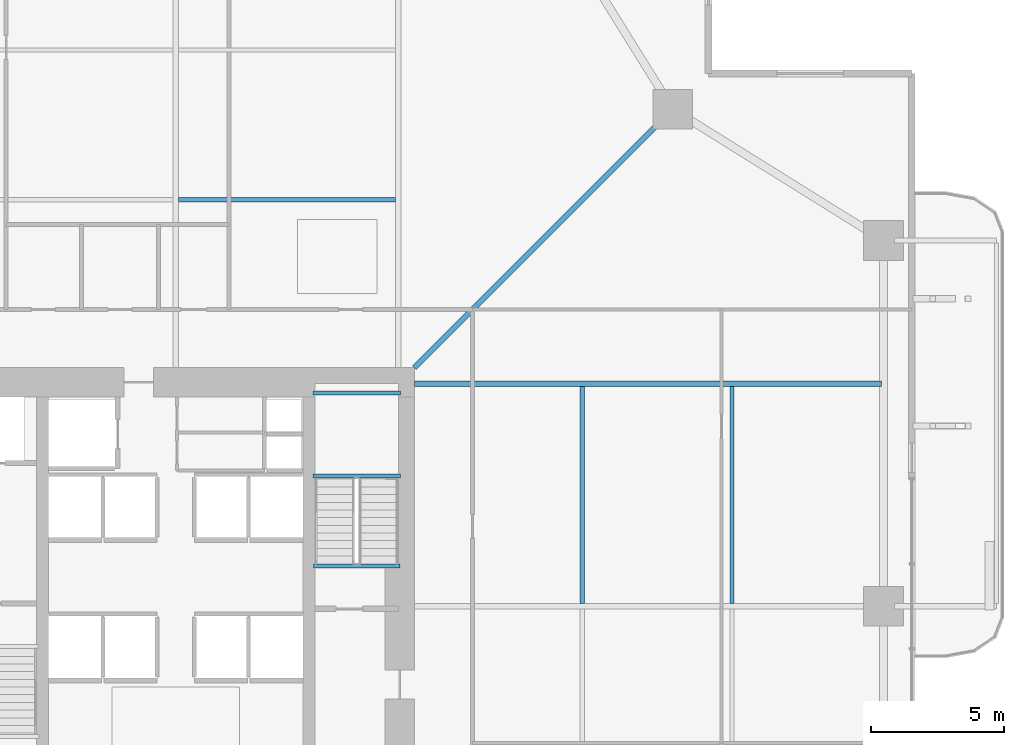
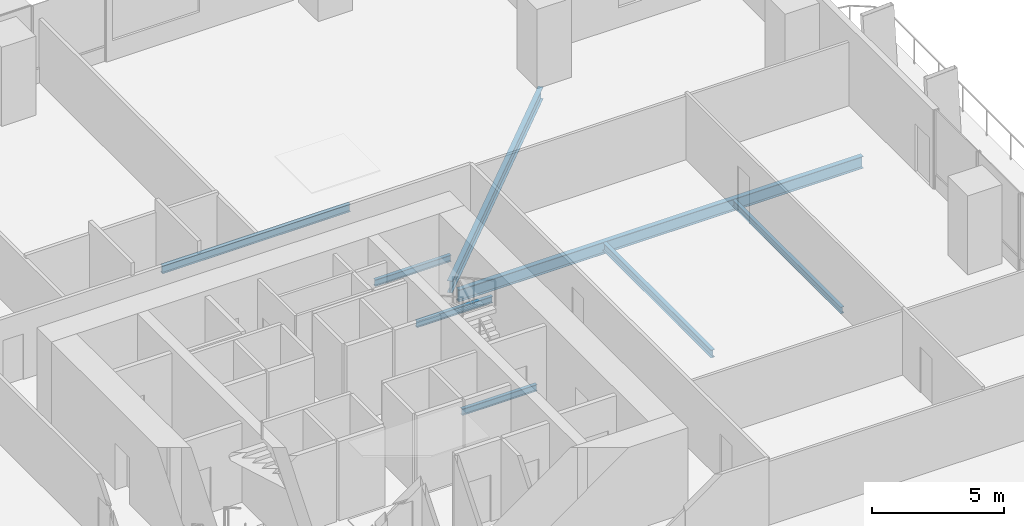
# One storey, part 12 of 24: 8 beams.
"""IFC4 building model written with IfcOpenShell, lengths in metres."""

from ifc_helpers import new_model, si_unit, direction, frame, origin, origin_2d, place, context, subcontext, project, spatial, i_section, extrude, material, material_profile, profile_set, type_object, element, save


model = new_model("IFC4")

# Units and contexts
model_context = context("Model", 3, precision=1e-05, world=origin(), true_north=direction((0.0, 1.0)))
body_context = subcontext(model_context, "Body", "Model", "MODEL_VIEW")
ifc_project = project(units=[si_unit("LENGTHUNIT", "METRE"), si_unit("AREAUNIT", "SQUARE_METRE"), si_unit("VOLUMEUNIT", "CUBIC_METRE"), si_unit("PLANEANGLEUNIT", "RADIAN"), si_unit("MASSUNIT", "GRAM", prefix="KILO")], contexts=[model_context])

# Site, building, storey
site_placement = place(None, origin())
site = spatial("IfcSite", under=ifc_project, at=site_placement, CompositionType="ELEMENT")
building_placement = place(site_placement, origin())
building = spatial("IfcBuilding", under=site, at=building_placement, Name="Belovzor Exchange Tower", CompositionType="ELEMENT")
storey_placement = place(building_placement, frame((0.0, 0.0, 69.0)))
storey = spatial("IfcBuildingStorey", under=building, at=storey_placement, Name="L16", CompositionType="ELEMENT", Elevation=69.0)

# Beams
ifc_material_1 = material(Name="Steel S355", Category="steel")
ifc_material_profile_1 = material_profile(ifc_material_1, i_section(OverallWidth=0.169921875, OverallDepth=0.360107421875, WebThickness=0.008056640625, FlangeThickness=0.0126953125, at=origin_2d()))
ifc_profile_set_1 = profile_set([ifc_material_profile_1], Name="Steel S355")
beam_type_1 = type_object("IfcBeamType", Name="Secondary Infill Floor Joist IPE 360", PredefinedType="BEAM", material=ifc_profile_set_1)
for number, where, z_axis, x_axis, name in (
    (1, (28.905029296875, 44.14501953125, -0.429931640625), (1.0, 0.0, 0.0), (0.0, 1.0, 0.0), "FJ-360 Secondary Infill Floor Joist IPE 360"),
    (2, (44.14501953125, 28.905029296875, -0.429931640625), (0.0, 1.0, 0.0), (-1.0, 0.0, 0.0), "FJ-360 Secondary Infill Floor Joist IPE 360"),
):
    element("IfcBeam", number, at=place(storey_placement, frame(where, z_axis=z_axis, x_axis=x_axis)), inside=storey, type_object=beam_type_1, Name=name, PredefinedType="BEAM", context=body_context, shape_type="SweptSolid", body=[
        extrude(i_section(OverallWidth=0.169921875, OverallDepth=0.360107421875, WebThickness=0.008056640625, FlangeThickness=0.0126953125, at=origin_2d()), origin(), (0.0, 0.0, 1.0), 8.18994140625),
    ])
ifc_material_2 = material(Name="Steel S355", Category="steel")
ifc_material_profile_2 = material_profile(ifc_material_2, i_section(OverallWidth=0.14990234375, OverallDepth=0.300048828125, WebThickness=0.007080078125, FlangeThickness=0.0107421875, at=origin_2d()))
ifc_profile_set_2 = profile_set([ifc_material_profile_2], Name="Steel S355")
beam_type_2 = type_object("IfcBeamType", Name="Secondary Trim Floor Joist IPE 300", PredefinedType="BEAM", material=ifc_profile_set_2)
for number, where, z_axis, x_axis, name in (
    (3, (37.280029296875, 33.7099609375, 1.60009765625), (-1.0, 0.0, 0.0), (0.0, -1.0, 0.0), "FJ-300 Secondary Trim Floor Joist IPE 300"),
    (4, (37.280029296875, 36.85009765625, 1.60009765625), (-1.0, 0.0, 0.0), (0.0, -1.0, 0.0), "FJ-300 Secondary Trim Floor Joist IPE 300"),
):
    element("IfcBeam", number, at=place(storey_placement, frame(where, z_axis=z_axis, x_axis=x_axis)), inside=storey, type_object=beam_type_2, Name=name, PredefinedType="BEAM", context=body_context, shape_type="SweptSolid", body=[
        extrude(i_section(OverallWidth=0.14990234375, OverallDepth=0.300048828125, WebThickness=0.007080078125, FlangeThickness=0.0107421875, at=origin_2d()), origin(), (0.0, 0.0, 1.0), 3.31005859375),
    ])
beam_1_placement = place(storey_placement, frame((37.260009765625, 30.320068359375, -0.39990234375), z_axis=(-1.0, 0.0, 0.0), x_axis=(0.0, -1.0, 0.0)))
element("IfcBeam", 5, at=beam_1_placement, inside=storey, type_object=beam_type_2, Name="FJ-300 Secondary Trim Floor Joist IPE 300", PredefinedType="BEAM", context=body_context, shape_type="SweptSolid", body=[
    extrude(i_section(OverallWidth=0.14990234375, OverallDepth=0.300048828125, WebThickness=0.007080078125, FlangeThickness=0.0107421875, at=origin_2d()), origin(), (0.0, 0.0, 1.0), 3.27001953125),
])
beam_2_placement = place(storey_placement, frame((49.784912109375, 28.905029296875, -0.39990234375), z_axis=(0.0, 1.0, 0.0), x_axis=(-1.0, 0.0, 0.0)))
element("IfcBeam", 6, at=beam_2_placement, inside=storey, type_object=beam_type_2, Name="FJ-300 Secondary Trim Floor Joist IPE 300", PredefinedType="BEAM", context=body_context, shape_type="SweptSolid", body=[
    extrude(i_section(OverallWidth=0.14990234375, OverallDepth=0.300048828125, WebThickness=0.007080078125, FlangeThickness=0.0107421875, at=origin_2d()), origin(), (0.0, 0.0, 1.0), 8.18994140625),
])
ifc_material_3 = material(Name="Steel S355", Category="steel")
ifc_material_profile_3 = material_profile(ifc_material_3, i_section(OverallWidth=0.2099609375, OverallDepth=0.550048828125, WebThickness=0.010986328125, FlangeThickness=0.01708984375, at=origin_2d()))
ifc_profile_set_3 = profile_set([ifc_material_profile_3], Name="Steel S355")
beam_type_3 = type_object("IfcBeamType", Name="Zone 1 Radial Composite Floor Beam IPE 550", PredefinedType="BEAM", material=ifc_profile_set_3)
beam_3_placement = place(storey_placement, frame((37.800048828125, 37.199951171875, -0.52490234375), z_axis=(1.0, 0.0, 0.0), x_axis=(0.0, 1.0, 0.0)))
element("IfcBeam", 7, at=beam_3_placement, inside=storey, type_object=beam_type_3, Name="FB-550 Zone 1 Radial Composite Floor Beam IPE 550", PredefinedType="BEAM", context=body_context, shape_type="SweptSolid", body=[
    extrude(i_section(OverallWidth=0.2099609375, OverallDepth=0.550048828125, WebThickness=0.010986328125, FlangeThickness=0.01708984375, at=origin_2d()), origin(), (0.0, 0.0, 1.0), 17.625),
])
beam_4_placement = place(storey_placement, frame((37.800048828125, 37.800048828125, -0.52490234375), z_axis=(0.707106781187, 0.707106781187, 0.0), x_axis=(-0.707106781187, 0.707106781187, 0.0)))
element("IfcBeam", 8, at=beam_4_placement, inside=storey, type_object=beam_type_3, Name="FB-550 Zone 1 Radial Composite Floor Beam IPE 550", PredefinedType="BEAM", context=body_context, shape_type="SweptSolid", body=[
    extrude(i_section(OverallWidth=0.2099609375, OverallDepth=0.550048828125, WebThickness=0.010986328125, FlangeThickness=0.01708984375, at=origin_2d()), origin(), (0.0, 0.0, 1.0), 13.25830078125),
])

save(model, "model.ifc")
